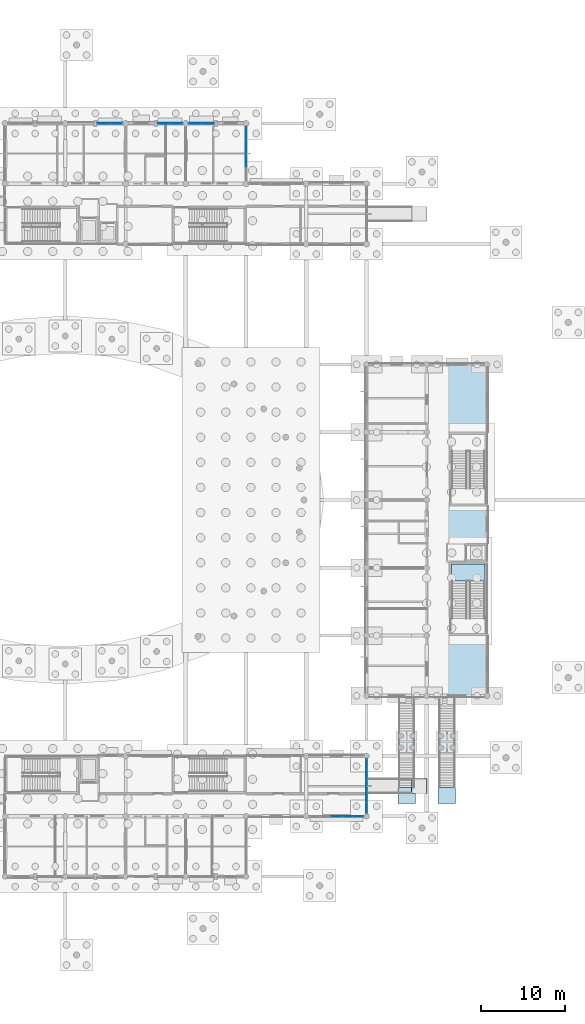
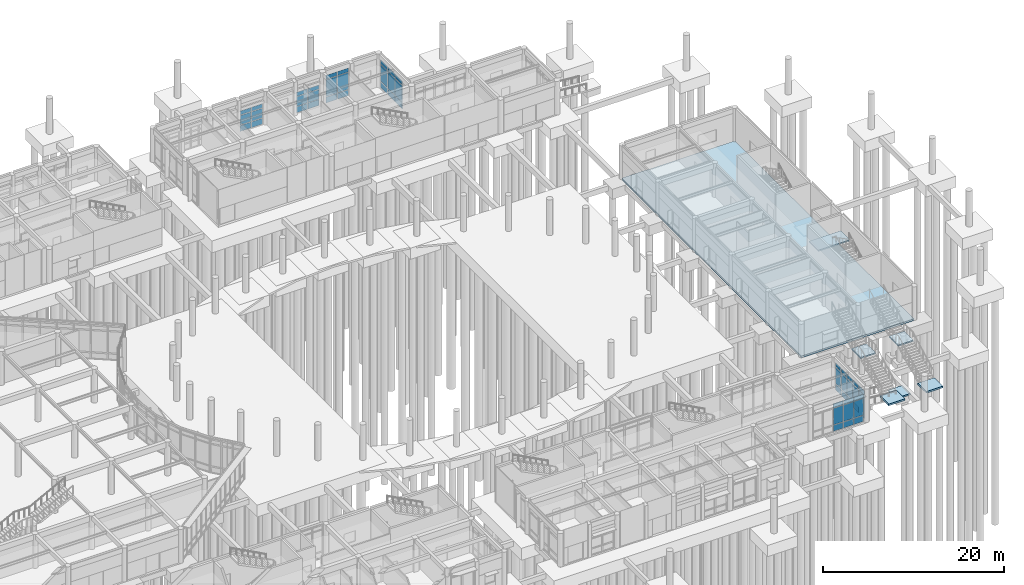
# One storey, part 50 of 103: 51 plates, 7 slabs, 10 elements without a shape of their own.
"""IFC4 building model written with IfcOpenShell, lengths in metres."""

import ifcopenshell
import ifcopenshell.guid

model = None  # the IFC model being written
_history = None  # IfcOwnerHistory: only IFC2X3 demands one
_inside = {}  # id of a spatial element -> (the spatial element, [elements in it])
_under = {}  # id of a project, library or spatial element -> (it, [spatial elements below it])
_declared = {}  # id of a project -> (the project, [libraries it declares])
_typed = {}  # id of a type object -> (the type object, [elements of that type])
_made_of = {}  # id of a material, layer set ... -> (it, [elements and type objects made of it])


def new_model(schema):
    """Start an empty IFC model of exactly this schema.

    Asked for "IFC4X3", IfcOpenShell would pick the latest addendum, in which some entities
    have other attributes; the version numbers below select the first issue.
    IFC2X3 requires an IfcOwnerHistory on every rooted entity: one is made here for all.
    """
    global model, _history
    if schema == "IFC4X3":
        model = ifcopenshell.file(schema_version=(4, 3, 0, 0))
    else:
        model = ifcopenshell.file(schema=schema)
    _inside.clear()
    _under.clear()
    _declared.clear()
    _typed.clear()
    _made_of.clear()
    _history = None
    if model.schema == "IFC2X3":
        org = make("IfcOrganization", Name="unknown")
        user = make(
            "IfcPersonAndOrganization",
            ThePerson=make("IfcPerson", FamilyName="unknown"),
            TheOrganization=org,
        )
        app = make(
            "IfcApplication",
            ApplicationDeveloper=org,
            Version="unknown",
            ApplicationFullName="unknown",
            ApplicationIdentifier="unknown",
        )
        _history = make(
            "IfcOwnerHistory",
            OwningUser=user,
            OwningApplication=app,
            ChangeAction="ADDED",
            CreationDate=0,
        )
    return model


def make(cls, **values):
    """One entity of the class cls with the attributes given. An attribute that is None is left unset."""
    return model.create_entity(
        cls, **{name: value for name, value in values.items() if value is not None}
    )


def rooted(cls, **values):
    """An entity with a GlobalId (a new one), such as an element, a storey or a relation."""
    return make(cls, GlobalId=ifcopenshell.guid.new(), OwnerHistory=_history, **values)


def si_unit(unit_type, name, prefix=None):
    """IfcSIUnit, for example si_unit("LENGTHUNIT", "METRE", prefix="MILLI")."""
    return make("IfcSIUnit", UnitType=unit_type, Prefix=prefix, Name=name)


def assignment(units):
    """IfcUnitAssignment: the units of a project."""
    return None if units is None else make("IfcUnitAssignment", Units=units)


def point(xyz):
    """IfcCartesianPoint."""
    return None if xyz is None else make("IfcCartesianPoint", Coordinates=xyz)


def direction(xyz):
    """IfcDirection."""
    return None if xyz is None else make("IfcDirection", DirectionRatios=xyz)


def frame(location, z_axis=None, x_axis=None):
    """IfcAxis2Placement3D, a coordinate frame: its origin and axes. An axis left out is left unset."""
    return make(
        "IfcAxis2Placement3D",
        Location=point(location),
        Axis=direction(z_axis),
        RefDirection=direction(x_axis),
    )


def frame_2d(location, x_axis=None):
    """IfcAxis2Placement2D, a coordinate frame in the plane: its origin and x axis."""
    return make(
        "IfcAxis2Placement2D", Location=point(location), RefDirection=direction(x_axis)
    )


def origin():
    """The frame at (0, 0, 0) with its axes left unset."""
    return frame((0.0, 0.0, 0.0))


def origin_2d():
    """The frame at (0, 0) in the plane with its x axis left unset."""
    return frame_2d((0.0, 0.0))


def place(relative_to, where):
    """IfcLocalPlacement: puts the frame where relative to a parent placement (None: the world)."""
    return make(
        "IfcLocalPlacement", PlacementRelTo=relative_to, RelativePlacement=where
    )


def context(
    kind, dimensions, precision=None, world=None, true_north=None, identifier=None
):
    """IfcGeometricRepresentationContext, for example the 3D "Model" context."""
    return make(
        "IfcGeometricRepresentationContext",
        ContextIdentifier=identifier,
        ContextType=kind,
        CoordinateSpaceDimension=dimensions,
        Precision=precision,
        WorldCoordinateSystem=world,
        TrueNorth=true_north,
    )


def subcontext(parent, identifier, kind, view, scale=None):
    """IfcGeometricRepresentationSubContext, for example "Body" below "Model"."""
    return make(
        "IfcGeometricRepresentationSubContext",
        ContextIdentifier=identifier,
        ContextType=kind,
        ParentContext=parent,
        TargetScale=scale,
        TargetView=view,
    )


def project(units=None, contexts=None):
    """IfcProject with its units and contexts."""
    return rooted(
        "IfcProject",
        Name="project",
        RepresentationContexts=contexts,
        UnitsInContext=assignment(units),
    )


def spatial(cls, under=None, at=None, **own):
    """A site, building, storey or space (cls), placed at a placement, below another one or the project."""
    s = rooted(cls, ObjectPlacement=at, **own)
    if under is not None:
        _under.setdefault(under.id(), (under, []))[1].append(s)
    return s


def polyline(points):
    """IfcPolyline through the points."""
    return make("IfcPolyline", Points=[point(p) for p in points])


def profile(cls, at=None, kind="AREA", **sizes):
    """A parametric profile (cls). Its sizes go by their IFC names, for example OverallWidth=200.0."""
    return make(cls, ProfileType=kind, Position=at, **sizes)


def rectangle(**sizes):
    """IfcRectangleProfileDef."""
    return profile("IfcRectangleProfileDef", **sizes)


def outline(outer, holes=None, kind="AREA"):
    """IfcArbitraryClosedProfileDef: a profile drawn as a closed curve; with holes, ...WithVoids."""
    if holes is None:
        return make("IfcArbitraryClosedProfileDef", ProfileType=kind, OuterCurve=outer)
    return make(
        "IfcArbitraryProfileDefWithVoids",
        ProfileType=kind,
        OuterCurve=outer,
        InnerCurves=holes,
    )


def extrude(swept, where, along, depth):
    """IfcExtrudedAreaSolid: the profile swept, set in the frame where, extruded along a direction by depth."""
    return make(
        "IfcExtrudedAreaSolid",
        SweptArea=swept,
        Position=where,
        ExtrudedDirection=direction(along),
        Depth=depth,
    )


def shape(context_of_items, identifier, shape_type, items):
    """IfcShapeRepresentation: the items that make up one representation, for example the "Body"."""
    return make(
        "IfcShapeRepresentation",
        ContextOfItems=context_of_items,
        RepresentationIdentifier=identifier,
        RepresentationType=shape_type,
        Items=items,
    )


def material(Name=None, Category=None):
    """IfcMaterial."""
    return make("IfcMaterial", Name=Name, Category=Category)


def layer(
    of_material, thickness, ventilated=None, Name=None, Category=None, Priority=None
):
    """IfcMaterialLayer: one layer of a wall or slab, of a material (None: an air gap)."""
    return make(
        "IfcMaterialLayer",
        Material=of_material,
        LayerThickness=thickness,
        IsVentilated=ventilated,
        Name=Name,
        Category=Category,
        Priority=Priority,
    )


def layer_set(layers, Name=None):
    """IfcMaterialLayerSet."""
    return make("IfcMaterialLayerSet", MaterialLayers=layers, LayerSetName=Name)


def made_of(thing, what):
    """Note that an element or type object is made of a material, layer set ...; save() writes the relation."""
    if what is not None:
        _made_of.setdefault(what.id(), (what, []))[1].append(thing)
    return thing


def type_object(cls, material=None, **own):
    """A type object (cls), such as IfcWallType, which elements share."""
    return made_of(rooted(cls, **own), material)


def element(
    cls,
    number,
    at=None,
    inside=None,
    cuts=None,
    type_object=None,
    material=None,
    context=None,
    identifier="Body",
    shape_type=None,
    held_by="IfcProductDefinitionShape",
    body=None,
    shapes=None,
    **own,
):
    """One element of the class cls, such as IfcWall. Its Tag is "e" and its number.

    at: its placement. inside: the storey or other place that contains it. cuts: it is an
    opening in that element (IfcRelVoidsElement). A single representation is given by context,
    identifier, shape_type and body (its items); several are given by shapes. held_by: the class
    of the entity that holds the representations. save() writes the other relations.
    """
    e = rooted(cls, Tag="e%d" % number, ObjectPlacement=at, **own)
    if body is not None:
        shapes = [shape(context, identifier, shape_type, body)]
    if shapes is not None:
        e.Representation = make(held_by, Representations=shapes)
    if inside is not None:
        _inside.setdefault(inside.id(), (inside, []))[1].append(e)
    if cuts is not None:
        rooted(
            "IfcRelVoidsElement", RelatingBuildingElement=cuts, RelatedOpeningElement=e
        )
    if type_object is not None:
        _typed.setdefault(type_object.id(), (type_object, []))[1].append(e)
    return made_of(e, material)


def aggregate(whole, parts):
    """IfcRelAggregates: a whole, such as a stair, and the parts it consists of."""
    return rooted("IfcRelAggregates", RelatingObject=whole, RelatedObjects=parts)


def save(model, path):
    """Write the relations noted so far, then the file.

    IfcRelAggregates (storeys below a building ...), IfcRelContainedInSpatialStructure (elements
    in a storey), IfcRelDefinesByType, IfcRelAssociatesMaterial and IfcRelDeclares: one each for
    every whole, place, type object, material and project.
    """
    for whole, parts in _under.values():
        aggregate(whole, parts)
    for where, things in _inside.values():
        rooted(
            "IfcRelContainedInSpatialStructure",
            RelatedElements=things,
            RelatingStructure=where,
        )
    for kind, things in _typed.values():
        rooted("IfcRelDefinesByType", RelatedObjects=things, RelatingType=kind)
    for what, things in _made_of.values():
        rooted("IfcRelAssociatesMaterial", RelatedObjects=things, RelatingMaterial=what)
    for by, libraries in _declared.values():
        rooted("IfcRelDeclares", RelatingContext=by, RelatedDefinitions=libraries)
    model.write(path)


model = new_model("IFC4")

# Units and contexts
model_context = context("Model", 3, precision=1e-05, world=origin(), true_north=direction((0.0, 1.0)))
body_context = subcontext(model_context, "Body", "Model", "MODEL_VIEW")
ifc_project = project(units=[si_unit("LENGTHUNIT", "METRE"), si_unit("AREAUNIT", "SQUARE_METRE"), si_unit("VOLUMEUNIT", "CUBIC_METRE"), si_unit("PLANEANGLEUNIT", "RADIAN"), si_unit("MASSUNIT", "GRAM", prefix="KILO")], contexts=[model_context])

# Site, building, storey
site_placement = place(None, origin())
site = spatial("IfcSite", under=ifc_project, at=site_placement, CompositionType="ELEMENT")
building_placement = place(site_placement, origin())
building = spatial("IfcBuilding", under=site, at=building_placement, Name="Namkhue Oval Health Centre", CompositionType="ELEMENT")
storey_placement = place(building_placement, origin())
storey = spatial("IfcBuildingStorey", under=building, at=storey_placement, Name="L00", CompositionType="ELEMENT", Elevation=0.0)

# Slabs
ifc_material_1 = material(Name="Reinforced concrete C30/37 (TCVN B35)", Category="concrete")
ifc_layer_1 = layer(ifc_material_1, 0.219970703125)
ifc_layer_set_1 = layer_set([ifc_layer_1], Name="Reinforced concrete C30/37 (TCVN B35)")
slab_type_1 = type_object("IfcSlabType", Name="COLONNADE DECK SLAB 220", PredefinedType="FLOOR", material=ifc_layer_set_1)
slab_1_placement = place(storey_placement, frame((0.0, 0.0, -0.219970703125)))
element("IfcSlab", 1, at=slab_1_placement, inside=storey, type_object=slab_type_1, Name="Rehab Terrace West Garden Straight Stair Ground Arrival Pad", PredefinedType="FLOOR", context=body_context, shape_type="SweptSolid", body=[
    extrude(outline(polyline([(142.64990234375, 23.155029296875), (142.64990234375, 25.054931640625), (140.550048828125, 25.054931640625), (140.550048828125, 23.155029296875), (142.64990234375, 23.155029296875)])), origin(), (0.0, 0.0, 1.0), 0.219970703125),
])
slab_2_placement = place(storey_placement, frame((0.0, 0.0, -0.219970703125)))
element("IfcSlab", 2, at=slab_2_placement, inside=storey, type_object=slab_type_1, Name="Rehab Terrace East Garden Straight Stair Ground Arrival Pad", PredefinedType="FLOOR", context=body_context, shape_type="SweptSolid", body=[
    extrude(outline(polyline([(147.449951171875, 23.155029296875), (147.449951171875, 25.054931640625), (145.35009765625, 25.054931640625), (145.35009765625, 23.155029296875), (147.449951171875, 23.155029296875)])), origin(), (0.0, 0.0, 1.0), 0.219970703125),
])

# Curtain wall, plates
ifc_material_2 = material(Name="Anodised aluminium EN AW-6063 T6", Category="aluminium")
ifc_layer_2 = layer(ifc_material_2, 0.159912109375)
ifc_layer_set_2 = layer_set([ifc_layer_2], Name="Anodised aluminium EN AW-6063 T6")
curtain_wall_type_1 = type_object("IfcCurtainWallType", Name="UNITISED CURTAIN WALL M1500", PredefinedType="NOTDEFINED", material=ifc_layer_set_2)
curtain_wall_1_placement = place(storey_placement, origin())
curtain_wall_1 = element("IfcCurtainWall", 3, at=curtain_wall_1_placement, inside=storey, type_object=curtain_wall_type_1, Name="Volume V3 L00 Unitised Curtain Wall 93", PredefinedType="NOTDEFINED")
ifc_material_3 = material(Name="Thermally broken low-E laminated double glazing", Category="glass")
ifc_layer_3 = layer(ifc_material_3, 0.02587890625)
ifc_layer_set_3 = layer_set([ifc_layer_3], Name="Thermally broken low-E laminated double glazing")
plate_type_1 = type_object("IfcPlateType", Name="CURTAIN WALL GLAZED PANEL 26", PredefinedType="CURTAIN_PANEL", material=ifc_layer_set_3)
plate_1_placement = place(storey_placement, frame((122.39990234375, 99.989990234375, 0.06494140625), z_axis=(0.0, 0.0, 1.0), x_axis=(0.0, 1.0, 0.0)))
plate_1 = element("IfcPlate", 4, at=plate_1_placement, type_object=plate_type_1, Name="CW-03 panel 2.1", PredefinedType="CURTAIN_PANEL", context=body_context, shape_type="SweptSolid", body=[
    extrude(rectangle(XDim=1.554931640625, YDim=0.02587890625, at=origin_2d()), origin(), (0.0, 0.0, 1.0), 0.802490234375),
])
plate_2_placement = place(storey_placement, frame((122.39990234375, 99.989990234375, 0.932373046875), z_axis=(0.0, 0.0, 1.0), x_axis=(0.0, 1.0, 0.0)))
plate_2 = element("IfcPlate", 5, at=plate_2_placement, type_object=plate_type_1, Name="CW-03 panel 2.2", PredefinedType="CURTAIN_PANEL", context=body_context, shape_type="SweptSolid", body=[
    extrude(rectangle(XDim=1.554931640625, YDim=0.02587890625, at=origin_2d()), origin(), (0.0, 0.0, 1.0), 2.27001953125),
])
plate_3_placement = place(storey_placement, frame((122.39990234375, 99.989990234375, 3.267578125), z_axis=(0.0, 0.0, 1.0), x_axis=(0.0, 1.0, 0.0)))
plate_3 = element("IfcPlate", 6, at=plate_3_placement, type_object=plate_type_1, Name="CW-03 panel 2.3", PredefinedType="CURTAIN_PANEL", context=body_context, shape_type="SweptSolid", body=[
    extrude(rectangle(XDim=1.554931640625, YDim=0.02587890625, at=origin_2d()), origin(), (0.0, 0.0, 1.0), 0.552490234375),
])
plate_4_placement = place(storey_placement, frame((122.39990234375, 101.610107421875, 0.06494140625), z_axis=(0.0, 0.0, 1.0), x_axis=(0.0, 1.0, 0.0)))
plate_4 = element("IfcPlate", 7, at=plate_4_placement, type_object=plate_type_1, Name="CW-03 panel 3.1", PredefinedType="CURTAIN_PANEL", context=body_context, shape_type="SweptSolid", body=[
    extrude(rectangle(XDim=1.554931640625, YDim=0.02587890625, at=origin_2d()), origin(), (0.0, 0.0, 1.0), 0.802490234375),
])
plate_5_placement = place(storey_placement, frame((122.39990234375, 101.610107421875, 0.932373046875), z_axis=(0.0, 0.0, 1.0), x_axis=(0.0, 1.0, 0.0)))
plate_5 = element("IfcPlate", 8, at=plate_5_placement, type_object=plate_type_1, Name="CW-03 panel 3.2", PredefinedType="CURTAIN_PANEL", context=body_context, shape_type="SweptSolid", body=[
    extrude(rectangle(XDim=1.554931640625, YDim=0.02587890625, at=origin_2d()), origin(), (0.0, 0.0, 1.0), 2.27001953125),
])
plate_6_placement = place(storey_placement, frame((122.39990234375, 101.610107421875, 3.267578125), z_axis=(0.0, 0.0, 1.0), x_axis=(0.0, 1.0, 0.0)))
plate_6 = element("IfcPlate", 9, at=plate_6_placement, type_object=plate_type_1, Name="CW-03 panel 3.3", PredefinedType="CURTAIN_PANEL", context=body_context, shape_type="SweptSolid", body=[
    extrude(rectangle(XDim=1.554931640625, YDim=0.02587890625, at=origin_2d()), origin(), (0.0, 0.0, 1.0), 0.552490234375),
])
plate_7_placement = place(storey_placement, frame((122.39990234375, 103.2138671875, 0.06494140625), z_axis=(0.0, 0.0, 1.0), x_axis=(0.0, 1.0, 0.0)))
plate_7 = element("IfcPlate", 10, at=plate_7_placement, type_object=plate_type_1, Name="CW-03 panel 4.1", PredefinedType="CURTAIN_PANEL", context=body_context, shape_type="SweptSolid", body=[
    extrude(rectangle(XDim=1.5224609375, YDim=0.02587890625, at=origin_2d()), origin(), (0.0, 0.0, 1.0), 0.802490234375),
])
plate_8_placement = place(storey_placement, frame((122.39990234375, 103.2138671875, 0.932373046875), z_axis=(0.0, 0.0, 1.0), x_axis=(0.0, 1.0, 0.0)))
plate_8 = element("IfcPlate", 11, at=plate_8_placement, type_object=plate_type_1, Name="CW-03 panel 4.2", PredefinedType="CURTAIN_PANEL", context=body_context, shape_type="SweptSolid", body=[
    extrude(rectangle(XDim=1.5224609375, YDim=0.02587890625, at=origin_2d()), origin(), (0.0, 0.0, 1.0), 2.27001953125),
])
plate_9_placement = place(storey_placement, frame((122.39990234375, 103.2138671875, 3.267578125), z_axis=(0.0, 0.0, 1.0), x_axis=(0.0, 1.0, 0.0)))
plate_9 = element("IfcPlate", 12, at=plate_9_placement, type_object=plate_type_1, Name="CW-03 panel 4.3", PredefinedType="CURTAIN_PANEL", context=body_context, shape_type="SweptSolid", body=[
    extrude(rectangle(XDim=1.5224609375, YDim=0.02587890625, at=origin_2d()), origin(), (0.0, 0.0, 1.0), 0.552490234375),
])
aggregate(curtain_wall_1, [plate_1, plate_2, plate_3, plate_4, plate_5, plate_6, plate_7, plate_8, plate_9])

ifc_layer_4 = layer(ifc_material_2, 0.159912109375)
ifc_layer_set_4 = layer_set([ifc_layer_4], Name="Anodised aluminium EN AW-6063 T6")
curtain_wall_type_2 = type_object("IfcCurtainWallType", Name="UNITISED CURTAIN WALL M1200", PredefinedType="NOTDEFINED", material=ifc_layer_set_4)
curtain_wall_2_placement = place(storey_placement, origin())
curtain_wall_2 = element("IfcCurtainWall", 13, at=curtain_wall_2_placement, inside=storey, type_object=curtain_wall_type_2, Name="Volume V5 L00 Unitised Curtain Wall 181", PredefinedType="NOTDEFINED")
plate_10_placement = place(storey_placement, frame((133.199951171875, 21.60009765625, 0.06494140625), z_axis=(0.0, 0.0, 1.0), x_axis=(1.0, 0.0, 0.0)))
plate_10 = element("IfcPlate", 14, at=plate_10_placement, type_object=plate_type_1, Name="CW-01 panel 3.1", PredefinedType="CURTAIN_PANEL", context=body_context, shape_type="SweptSolid", body=[
    extrude(rectangle(XDim=1.240966796875, YDim=0.02587890625, at=origin_2d()), origin(), (0.0, 0.0, 1.0), 0.802490234375),
])
plate_11_placement = place(storey_placement, frame((133.199951171875, 21.60009765625, 0.9326171875), z_axis=(0.0, 0.0, 1.0), x_axis=(1.0, 0.0, 0.0)))
plate_11 = element("IfcPlate", 15, at=plate_11_placement, type_object=plate_type_1, Name="CW-01 panel 3.2", PredefinedType="CURTAIN_PANEL", context=body_context, shape_type="SweptSolid", body=[
    extrude(rectangle(XDim=1.240966796875, YDim=0.02587890625, at=origin_2d()), origin(), (0.0, 0.0, 1.0), 2.22998046875),
])
plate_12_placement = place(storey_placement, frame((133.199951171875, 21.60009765625, 3.2275390625), z_axis=(0.0, 0.0, 1.0), x_axis=(1.0, 0.0, 0.0)))
plate_12 = element("IfcPlate", 16, at=plate_12_placement, type_object=plate_type_1, Name="CW-01 panel 3.3", PredefinedType="CURTAIN_PANEL", context=body_context, shape_type="SweptSolid", body=[
    extrude(rectangle(XDim=1.240966796875, YDim=0.02587890625, at=origin_2d()), origin(), (0.0, 0.0, 1.0), 0.552490234375),
])
plate_13_placement = place(storey_placement, frame((134.506103515625, 21.60009765625, 0.06494140625), z_axis=(0.0, 0.0, 1.0), x_axis=(1.0, 0.0, 0.0)))
plate_13 = element("IfcPlate", 17, at=plate_13_placement, type_object=plate_type_1, Name="CW-01 panel 4.1", PredefinedType="CURTAIN_PANEL", context=body_context, shape_type="SweptSolid", body=[
    extrude(rectangle(XDim=1.240966796875, YDim=0.02587890625, at=origin_2d()), origin(), (0.0, 0.0, 1.0), 0.802490234375),
])
plate_14_placement = place(storey_placement, frame((134.506103515625, 21.60009765625, 0.9326171875), z_axis=(0.0, 0.0, 1.0), x_axis=(1.0, 0.0, 0.0)))
plate_14 = element("IfcPlate", 18, at=plate_14_placement, type_object=plate_type_1, Name="CW-01 panel 4.2", PredefinedType="CURTAIN_PANEL", context=body_context, shape_type="SweptSolid", body=[
    extrude(rectangle(XDim=1.240966796875, YDim=0.02587890625, at=origin_2d()), origin(), (0.0, 0.0, 1.0), 2.22998046875),
])
plate_15_placement = place(storey_placement, frame((134.506103515625, 21.60009765625, 3.2275390625), z_axis=(0.0, 0.0, 1.0), x_axis=(1.0, 0.0, 0.0)))
plate_15 = element("IfcPlate", 19, at=plate_15_placement, type_object=plate_type_1, Name="CW-01 panel 4.3", PredefinedType="CURTAIN_PANEL", context=body_context, shape_type="SweptSolid", body=[
    extrude(rectangle(XDim=1.240966796875, YDim=0.02587890625, at=origin_2d()), origin(), (0.0, 0.0, 1.0), 0.552490234375),
])
plate_16_placement = place(storey_placement, frame((135.795654296875, 21.60009765625, 0.06494140625), z_axis=(0.0, 0.0, 1.0), x_axis=(1.0, 0.0, 0.0)))
plate_16 = element("IfcPlate", 20, at=plate_16_placement, type_object=plate_type_1, Name="CW-01 panel 5.1", PredefinedType="CURTAIN_PANEL", context=body_context, shape_type="SweptSolid", body=[
    extrude(rectangle(XDim=1.20849609375, YDim=0.02587890625, at=origin_2d()), origin(), (0.0, 0.0, 1.0), 0.802490234375),
])
plate_17_placement = place(storey_placement, frame((135.795654296875, 21.60009765625, 0.9326171875), z_axis=(0.0, 0.0, 1.0), x_axis=(1.0, 0.0, 0.0)))
plate_17 = element("IfcPlate", 21, at=plate_17_placement, type_object=plate_type_1, Name="CW-01 panel 5.2", PredefinedType="CURTAIN_PANEL", context=body_context, shape_type="SweptSolid", body=[
    extrude(rectangle(XDim=1.20849609375, YDim=0.02587890625, at=origin_2d()), origin(), (0.0, 0.0, 1.0), 2.22998046875),
])
plate_18_placement = place(storey_placement, frame((135.795654296875, 21.60009765625, 3.2275390625), z_axis=(0.0, 0.0, 1.0), x_axis=(1.0, 0.0, 0.0)))
plate_18 = element("IfcPlate", 22, at=plate_18_placement, type_object=plate_type_1, Name="CW-01 panel 5.3", PredefinedType="CURTAIN_PANEL", context=body_context, shape_type="SweptSolid", body=[
    extrude(rectangle(XDim=1.20849609375, YDim=0.02587890625, at=origin_2d()), origin(), (0.0, 0.0, 1.0), 0.552490234375),
])
aggregate(curtain_wall_2, [plate_10, plate_11, plate_12, plate_13, plate_14, plate_15, plate_16, plate_17, plate_18])

ifc_layer_5 = layer(ifc_material_2, 0.159912109375)
ifc_layer_set_5 = layer_set([ifc_layer_5], Name="Anodised aluminium EN AW-6063 T6")
curtain_wall_type_3 = type_object("IfcCurtainWallType", Name="UNITISED CURTAIN WALL M1600", PredefinedType="NOTDEFINED", material=ifc_layer_set_5)
curtain_wall_3_placement = place(storey_placement, origin())
curtain_wall_3 = element("IfcCurtainWall", 23, at=curtain_wall_3_placement, inside=storey, type_object=curtain_wall_type_3, Name="Volume V3 L00 Unitised Curtain Wall 94", PredefinedType="NOTDEFINED")
ifc_layer_6 = layer(ifc_material_3, 0.028076171875)
ifc_layer_set_6 = layer_set([ifc_layer_6], Name="Thermally broken low-E laminated double glazing")
plate_type_2 = type_object("IfcPlateType", Name="CURTAIN WALL GLAZED PANEL 28", PredefinedType="CURTAIN_PANEL", material=ifc_layer_set_6)
plate_19_placement = place(storey_placement, frame((117.81298828125, 104.39990234375, 0.074951171875), z_axis=(0.0, 0.0, 1.0), x_axis=(-1.0, 0.0, 0.0)))
plate_19 = element("IfcPlate", 24, at=plate_19_placement, type_object=plate_type_2, Name="CW-04 panel 1.1", PredefinedType="CURTAIN_PANEL", context=body_context, shape_type="SweptSolid", body=[
    extrude(rectangle(XDim=1.402099609375, YDim=0.028076171875, at=origin_2d()), origin(), (0.0, 0.0, 1.0), 0.78759765625),
])
plate_20_placement = place(storey_placement, frame((117.81298828125, 104.39990234375, 0.9375), z_axis=(0.0, 0.0, 1.0), x_axis=(-1.0, 0.0, 0.0)))
plate_20 = element("IfcPlate", 25, at=plate_20_placement, type_object=plate_type_2, Name="CW-04 panel 1.2", PredefinedType="CURTAIN_PANEL", context=body_context, shape_type="SweptSolid", body=[
    extrude(rectangle(XDim=1.402099609375, YDim=0.028076171875, at=origin_2d()), origin(), (0.0, 0.0, 1.0), 2.260009765625),
])
plate_21_placement = place(storey_placement, frame((117.81298828125, 104.39990234375, 3.2724609375), z_axis=(0.0, 0.0, 1.0), x_axis=(-1.0, 0.0, 0.0)))
plate_21 = element("IfcPlate", 26, at=plate_21_placement, type_object=plate_type_2, Name="CW-04 panel 1.3", PredefinedType="CURTAIN_PANEL", context=body_context, shape_type="SweptSolid", body=[
    extrude(rectangle(XDim=1.402099609375, YDim=0.028076171875, at=origin_2d()), origin(), (0.0, 0.0, 1.0), 0.53759765625),
])
plate_22_placement = place(storey_placement, frame((116.3359375, 104.39990234375, 0.074951171875), z_axis=(0.0, 0.0, 1.0), x_axis=(-1.0, 0.0, 0.0)))
plate_22 = element("IfcPlate", 27, at=plate_22_placement, type_object=plate_type_2, Name="CW-04 panel 2.1", PredefinedType="CURTAIN_PANEL", context=body_context, shape_type="SweptSolid", body=[
    extrude(rectangle(XDim=1.402099609375, YDim=0.028076171875, at=origin_2d()), origin(), (0.0, 0.0, 1.0), 0.78759765625),
])
plate_23_placement = place(storey_placement, frame((116.3359375, 104.39990234375, 0.9375), z_axis=(0.0, 0.0, 1.0), x_axis=(-1.0, 0.0, 0.0)))
plate_23 = element("IfcPlate", 28, at=plate_23_placement, type_object=plate_type_2, Name="CW-04 panel 2.2", PredefinedType="CURTAIN_PANEL", context=body_context, shape_type="SweptSolid", body=[
    extrude(rectangle(XDim=1.402099609375, YDim=0.028076171875, at=origin_2d()), origin(), (0.0, 0.0, 1.0), 2.260009765625),
])
plate_24_placement = place(storey_placement, frame((116.3359375, 104.39990234375, 3.2724609375), z_axis=(0.0, 0.0, 1.0), x_axis=(-1.0, 0.0, 0.0)))
plate_24 = element("IfcPlate", 29, at=plate_24_placement, type_object=plate_type_2, Name="CW-04 panel 2.3", PredefinedType="CURTAIN_PANEL", context=body_context, shape_type="SweptSolid", body=[
    extrude(rectangle(XDim=1.402099609375, YDim=0.028076171875, at=origin_2d()), origin(), (0.0, 0.0, 1.0), 0.53759765625),
])
aggregate(curtain_wall_3, [plate_19, plate_20, plate_21, plate_22, plate_23, plate_24])

ifc_layer_7 = layer(ifc_material_2, 0.159912109375)
ifc_layer_set_7 = layer_set([ifc_layer_7], Name="Anodised aluminium EN AW-6063 T6")
curtain_wall_type_4 = type_object("IfcCurtainWallType", Name="UNITISED CURTAIN WALL M1350", PredefinedType="NOTDEFINED", material=ifc_layer_set_7)
curtain_wall_4_placement = place(storey_placement, origin())
curtain_wall_4 = element("IfcCurtainWall", 30, at=curtain_wall_4_placement, inside=storey, type_object=curtain_wall_type_4, Name="Volume V5 L00 Unitised Curtain Wall 182", PredefinedType="NOTDEFINED")
plate_25_placement = place(storey_placement, frame((136.800048828125, 22.606689453125, 0.074951171875), z_axis=(0.0, 0.0, 1.0), x_axis=(0.0, 1.0, 0.0)))
plate_25 = element("IfcPlate", 31, at=plate_25_placement, type_object=plate_type_2, Name="CW-02 panel 1.1", PredefinedType="CURTAIN_PANEL", context=body_context, shape_type="SweptSolid", body=[
    extrude(rectangle(XDim=1.193603515625, YDim=0.028076171875, at=origin_2d()), origin(), (0.0, 0.0, 1.0), 0.78759765625),
])
plate_26_placement = place(storey_placement, frame((136.800048828125, 22.606689453125, 0.9375), z_axis=(0.0, 0.0, 1.0), x_axis=(0.0, 1.0, 0.0)))
plate_26 = element("IfcPlate", 32, at=plate_26_placement, type_object=plate_type_2, Name="CW-02 panel 1.2", PredefinedType="CURTAIN_PANEL", context=body_context, shape_type="SweptSolid", body=[
    extrude(rectangle(XDim=1.193603515625, YDim=0.028076171875, at=origin_2d()), origin(), (0.0, 0.0, 1.0), 2.219970703125),
])
plate_27_placement = place(storey_placement, frame((136.800048828125, 22.606689453125, 3.232421875), z_axis=(0.0, 0.0, 1.0), x_axis=(0.0, 1.0, 0.0)))
plate_27 = element("IfcPlate", 33, at=plate_27_placement, type_object=plate_type_2, Name="CW-02 panel 1.3", PredefinedType="CURTAIN_PANEL", context=body_context, shape_type="SweptSolid", body=[
    extrude(rectangle(XDim=1.193603515625, YDim=0.028076171875, at=origin_2d()), origin(), (0.0, 0.0, 1.0), 0.53759765625),
])
plate_28_placement = place(storey_placement, frame((136.800048828125, 23.89404296875, 0.074951171875), z_axis=(0.0, 0.0, 1.0), x_axis=(0.0, 1.0, 0.0)))
plate_28 = element("IfcPlate", 34, at=plate_28_placement, type_object=plate_type_2, Name="CW-02 panel 2.1", PredefinedType="CURTAIN_PANEL", context=body_context, shape_type="SweptSolid", body=[
    extrude(rectangle(XDim=1.23095703125, YDim=0.028076171875, at=origin_2d()), origin(), (0.0, 0.0, 1.0), 0.78759765625),
])
plate_29_placement = place(storey_placement, frame((136.800048828125, 23.89404296875, 0.9375), z_axis=(0.0, 0.0, 1.0), x_axis=(0.0, 1.0, 0.0)))
plate_29 = element("IfcPlate", 35, at=plate_29_placement, type_object=plate_type_2, Name="CW-02 panel 2.2", PredefinedType="CURTAIN_PANEL", context=body_context, shape_type="SweptSolid", body=[
    extrude(rectangle(XDim=1.23095703125, YDim=0.028076171875, at=origin_2d()), origin(), (0.0, 0.0, 1.0), 2.219970703125),
])
plate_30_placement = place(storey_placement, frame((136.800048828125, 23.89404296875, 3.232421875), z_axis=(0.0, 0.0, 1.0), x_axis=(0.0, 1.0, 0.0)))
plate_30 = element("IfcPlate", 36, at=plate_30_placement, type_object=plate_type_2, Name="CW-02 panel 2.3", PredefinedType="CURTAIN_PANEL", context=body_context, shape_type="SweptSolid", body=[
    extrude(rectangle(XDim=1.23095703125, YDim=0.028076171875, at=origin_2d()), origin(), (0.0, 0.0, 1.0), 0.53759765625),
])
plate_31_placement = place(storey_placement, frame((136.800048828125, 25.199951171875, 0.074951171875), z_axis=(0.0, 0.0, 1.0), x_axis=(0.0, 1.0, 0.0)))
plate_31 = element("IfcPlate", 37, at=plate_31_placement, type_object=plate_type_2, Name="CW-02 panel 3.1", PredefinedType="CURTAIN_PANEL", context=body_context, shape_type="SweptSolid", body=[
    extrude(rectangle(XDim=1.23095703125, YDim=0.028076171875, at=origin_2d()), origin(), (0.0, 0.0, 1.0), 0.78759765625),
])
plate_32_placement = place(storey_placement, frame((136.800048828125, 25.199951171875, 0.9375), z_axis=(0.0, 0.0, 1.0), x_axis=(0.0, 1.0, 0.0)))
plate_32 = element("IfcPlate", 38, at=plate_32_placement, type_object=plate_type_2, Name="CW-02 panel 3.2", PredefinedType="CURTAIN_PANEL", context=body_context, shape_type="SweptSolid", body=[
    extrude(rectangle(XDim=1.23095703125, YDim=0.028076171875, at=origin_2d()), origin(), (0.0, 0.0, 1.0), 2.219970703125),
])
plate_33_placement = place(storey_placement, frame((136.800048828125, 25.199951171875, 3.232421875), z_axis=(0.0, 0.0, 1.0), x_axis=(0.0, 1.0, 0.0)))
plate_33 = element("IfcPlate", 39, at=plate_33_placement, type_object=plate_type_2, Name="CW-02 panel 3.3", PredefinedType="CURTAIN_PANEL", context=body_context, shape_type="SweptSolid", body=[
    extrude(rectangle(XDim=1.23095703125, YDim=0.028076171875, at=origin_2d()), origin(), (0.0, 0.0, 1.0), 0.53759765625),
])
plate_34_placement = place(storey_placement, frame((136.800048828125, 26.506103515625, 0.074951171875), z_axis=(0.0, 0.0, 1.0), x_axis=(0.0, 1.0, 0.0)))
plate_34 = element("IfcPlate", 40, at=plate_34_placement, type_object=plate_type_2, Name="CW-02 panel 4.1", PredefinedType="CURTAIN_PANEL", context=body_context, shape_type="SweptSolid", body=[
    extrude(rectangle(XDim=1.23095703125, YDim=0.028076171875, at=origin_2d()), origin(), (0.0, 0.0, 1.0), 0.78759765625),
])
plate_35_placement = place(storey_placement, frame((136.800048828125, 26.506103515625, 0.9375), z_axis=(0.0, 0.0, 1.0), x_axis=(0.0, 1.0, 0.0)))
plate_35 = element("IfcPlate", 41, at=plate_35_placement, type_object=plate_type_2, Name="CW-02 panel 4.2", PredefinedType="CURTAIN_PANEL", context=body_context, shape_type="SweptSolid", body=[
    extrude(rectangle(XDim=1.23095703125, YDim=0.028076171875, at=origin_2d()), origin(), (0.0, 0.0, 1.0), 2.219970703125),
])
plate_36_placement = place(storey_placement, frame((136.800048828125, 26.506103515625, 3.232421875), z_axis=(0.0, 0.0, 1.0), x_axis=(0.0, 1.0, 0.0)))
plate_36 = element("IfcPlate", 42, at=plate_36_placement, type_object=plate_type_2, Name="CW-02 panel 4.3", PredefinedType="CURTAIN_PANEL", context=body_context, shape_type="SweptSolid", body=[
    extrude(rectangle(XDim=1.23095703125, YDim=0.028076171875, at=origin_2d()), origin(), (0.0, 0.0, 1.0), 0.53759765625),
])
plate_37_placement = place(storey_placement, frame((136.800048828125, 27.793212890625, 0.074951171875), z_axis=(0.0, 0.0, 1.0), x_axis=(0.0, 1.0, 0.0)))
plate_37 = element("IfcPlate", 43, at=plate_37_placement, type_object=plate_type_2, Name="CW-02 panel 5.1", PredefinedType="CURTAIN_PANEL", context=body_context, shape_type="SweptSolid", body=[
    extrude(rectangle(XDim=1.193603515625, YDim=0.028076171875, at=origin_2d()), origin(), (0.0, 0.0, 1.0), 0.78759765625),
])
plate_38_placement = place(storey_placement, frame((136.800048828125, 27.793212890625, 0.9375), z_axis=(0.0, 0.0, 1.0), x_axis=(0.0, 1.0, 0.0)))
plate_38 = element("IfcPlate", 44, at=plate_38_placement, type_object=plate_type_2, Name="CW-02 panel 5.2", PredefinedType="CURTAIN_PANEL", context=body_context, shape_type="SweptSolid", body=[
    extrude(rectangle(XDim=1.193603515625, YDim=0.028076171875, at=origin_2d()), origin(), (0.0, 0.0, 1.0), 2.219970703125),
])
plate_39_placement = place(storey_placement, frame((136.800048828125, 27.793212890625, 3.232421875), z_axis=(0.0, 0.0, 1.0), x_axis=(0.0, 1.0, 0.0)))
plate_39 = element("IfcPlate", 45, at=plate_39_placement, type_object=plate_type_2, Name="CW-02 panel 5.3", PredefinedType="CURTAIN_PANEL", context=body_context, shape_type="SweptSolid", body=[
    extrude(rectangle(XDim=1.193603515625, YDim=0.028076171875, at=origin_2d()), origin(), (0.0, 0.0, 1.0), 0.53759765625),
])
aggregate(curtain_wall_4, [plate_25, plate_26, plate_27, plate_28, plate_29, plate_30, plate_31, plate_32, plate_33, plate_34, plate_35, plate_36, plate_37, plate_38, plate_39])

ifc_layer_8 = layer(ifc_material_2, 0.159912109375)
ifc_layer_set_8 = layer_set([ifc_layer_8], Name="Anodised aluminium EN AW-6063 T6")
curtain_wall_type_5 = type_object("IfcCurtainWallType", Name="UNITISED CURTAIN WALL M1800", PredefinedType="NOTDEFINED", material=ifc_layer_set_8)
curtain_wall_5_placement = place(storey_placement, origin())
curtain_wall_5 = element("IfcCurtainWall", 46, at=curtain_wall_5_placement, inside=storey, type_object=curtain_wall_type_5, Name="Volume V3 L00 Unitised Curtain Wall 95", PredefinedType="NOTDEFINED")
ifc_material_4 = material(Name="Insulated anodised aluminium spandrel panel", Category="aluminium")
ifc_layer_9 = layer(ifc_material_4, 0.031982421875)
ifc_layer_set_9 = layer_set([ifc_layer_9], Name="Insulated anodised aluminium spandrel panel")
plate_type_3 = type_object("IfcPlateType", Name="CURTAIN WALL SPANDREL PANEL 32", PredefinedType="CURTAIN_PANEL", material=ifc_layer_set_9)
plate_40_placement = place(storey_placement, frame((114.06640625, 104.39990234375, 0.06494140625), z_axis=(0.0, 0.0, 1.0), x_axis=(-1.0, 0.0, 0.0)))
plate_40 = element("IfcPlate", 47, at=plate_40_placement, type_object=plate_type_3, Name="CW-05 panel 1.1", PredefinedType="CURTAIN_PANEL", context=body_context, shape_type="SweptSolid", body=[
    extrude(rectangle(XDim=1.4169921875, YDim=0.031982421875, at=origin_2d()), origin(), (0.0, 0.0, 1.0), 0.802490234375),
])
plate_41_placement = place(storey_placement, frame((114.06640625, 104.39990234375, 0.9326171875), z_axis=(0.0, 0.0, 1.0), x_axis=(-1.0, 0.0, 0.0)))
plate_41 = element("IfcPlate", 48, at=plate_41_placement, type_object=plate_type_3, Name="CW-05 panel 1.2", PredefinedType="CURTAIN_PANEL", context=body_context, shape_type="SweptSolid", body=[
    extrude(rectangle(XDim=1.4169921875, YDim=0.031982421875, at=origin_2d()), origin(), (0.0, 0.0, 1.0), 1.284912109375),
])
plate_42_placement = place(storey_placement, frame((114.06640625, 104.39990234375, 2.28271484375), z_axis=(0.0, 0.0, 1.0), x_axis=(-1.0, 0.0, 0.0)))
plate_42 = element("IfcPlate", 49, at=plate_42_placement, type_object=plate_type_3, Name="CW-05 panel 1.3", PredefinedType="CURTAIN_PANEL", context=body_context, shape_type="SweptSolid", body=[
    extrude(rectangle(XDim=1.4169921875, YDim=0.031982421875, at=origin_2d()), origin(), (0.0, 0.0, 1.0), 0.552490234375),
])
plate_43_placement = place(storey_placement, frame((112.58447265625, 104.39990234375, 0.06494140625), z_axis=(0.0, 0.0, 1.0), x_axis=(-1.0, 0.0, 0.0)))
plate_43 = element("IfcPlate", 50, at=plate_43_placement, type_object=plate_type_3, Name="CW-05 panel 2.1", PredefinedType="CURTAIN_PANEL", context=body_context, shape_type="SweptSolid", body=[
    extrude(rectangle(XDim=1.4169921875, YDim=0.031982421875, at=origin_2d()), origin(), (0.0, 0.0, 1.0), 0.802490234375),
])
plate_44_placement = place(storey_placement, frame((112.58447265625, 104.39990234375, 0.9326171875), z_axis=(0.0, 0.0, 1.0), x_axis=(-1.0, 0.0, 0.0)))
plate_44 = element("IfcPlate", 51, at=plate_44_placement, type_object=plate_type_3, Name="CW-05 panel 2.2", PredefinedType="CURTAIN_PANEL", context=body_context, shape_type="SweptSolid", body=[
    extrude(rectangle(XDim=1.4169921875, YDim=0.031982421875, at=origin_2d()), origin(), (0.0, 0.0, 1.0), 1.284912109375),
])
plate_45_placement = place(storey_placement, frame((112.58447265625, 104.39990234375, 2.28271484375), z_axis=(0.0, 0.0, 1.0), x_axis=(-1.0, 0.0, 0.0)))
plate_45 = element("IfcPlate", 52, at=plate_45_placement, type_object=plate_type_3, Name="CW-05 panel 2.3", PredefinedType="CURTAIN_PANEL", context=body_context, shape_type="SweptSolid", body=[
    extrude(rectangle(XDim=1.4169921875, YDim=0.031982421875, at=origin_2d()), origin(), (0.0, 0.0, 1.0), 0.552490234375),
])
aggregate(curtain_wall_5, [plate_40, plate_41, plate_42, plate_43, plate_44, plate_45])

ifc_layer_10 = layer(ifc_material_2, 0.159912109375)
ifc_layer_set_10 = layer_set([ifc_layer_10], Name="Anodised aluminium EN AW-6063 T6")
curtain_wall_type_6 = type_object("IfcCurtainWallType", Name="UNITISED CURTAIN WALL M2000", PredefinedType="NOTDEFINED", material=ifc_layer_set_10)
curtain_wall_6_placement = place(storey_placement, origin())
curtain_wall_6 = element("IfcCurtainWall", 53, at=curtain_wall_6_placement, inside=storey, type_object=curtain_wall_type_6, Name="Volume V3 L00 Unitised Curtain Wall 96", PredefinedType="NOTDEFINED")
ifc_layer_11 = layer(ifc_material_4, 0.035888671875)
ifc_layer_set_11 = layer_set([ifc_layer_11], Name="Insulated anodised aluminium spandrel panel")
plate_type_4 = type_object("IfcPlateType", Name="CURTAIN WALL SPANDREL PANEL 36", PredefinedType="CURTAIN_PANEL", material=ifc_layer_set_11)
plate_46_placement = place(storey_placement, frame((106.864013671875, 104.39990234375, 0.074951171875), z_axis=(0.0, 0.0, 1.0), x_axis=(-1.0, 0.0, 0.0)))
plate_46 = element("IfcPlate", 54, at=plate_46_placement, type_object=plate_type_4, Name="CW-06 panel 1.1", PredefinedType="CURTAIN_PANEL", context=body_context, shape_type="SweptSolid", body=[
    extrude(rectangle(XDim=1.402099609375, YDim=0.035888671875, at=origin_2d()), origin(), (0.0, 0.0, 1.0), 0.78759765625),
])
plate_47_placement = place(storey_placement, frame((106.864013671875, 104.39990234375, 0.9375), z_axis=(0.0, 0.0, 1.0), x_axis=(-1.0, 0.0, 0.0)))
plate_47 = element("IfcPlate", 55, at=plate_47_placement, type_object=plate_type_4, Name="CW-06 panel 1.2", PredefinedType="CURTAIN_PANEL", context=body_context, shape_type="SweptSolid", body=[
    extrude(rectangle(XDim=1.402099609375, YDim=0.035888671875, at=origin_2d()), origin(), (0.0, 0.0, 1.0), 1.27490234375),
])
plate_48_placement = place(storey_placement, frame((106.864013671875, 104.39990234375, 2.287353515625), z_axis=(0.0, 0.0, 1.0), x_axis=(-1.0, 0.0, 0.0)))
plate_48 = element("IfcPlate", 56, at=plate_48_placement, type_object=plate_type_4, Name="CW-06 panel 1.3", PredefinedType="CURTAIN_PANEL", context=body_context, shape_type="SweptSolid", body=[
    extrude(rectangle(XDim=1.402099609375, YDim=0.035888671875, at=origin_2d()), origin(), (0.0, 0.0, 1.0), 0.53759765625),
])
plate_49_placement = place(storey_placement, frame((105.386962890625, 104.39990234375, 0.074951171875), z_axis=(0.0, 0.0, 1.0), x_axis=(-1.0, 0.0, 0.0)))
plate_49 = element("IfcPlate", 57, at=plate_49_placement, type_object=plate_type_4, Name="CW-06 panel 2.1", PredefinedType="CURTAIN_PANEL", context=body_context, shape_type="SweptSolid", body=[
    extrude(rectangle(XDim=1.402099609375, YDim=0.035888671875, at=origin_2d()), origin(), (0.0, 0.0, 1.0), 0.78759765625),
])
plate_50_placement = place(storey_placement, frame((105.386962890625, 104.39990234375, 0.9375), z_axis=(0.0, 0.0, 1.0), x_axis=(-1.0, 0.0, 0.0)))
plate_50 = element("IfcPlate", 58, at=plate_50_placement, type_object=plate_type_4, Name="CW-06 panel 2.2", PredefinedType="CURTAIN_PANEL", context=body_context, shape_type="SweptSolid", body=[
    extrude(rectangle(XDim=1.402099609375, YDim=0.035888671875, at=origin_2d()), origin(), (0.0, 0.0, 1.0), 1.27490234375),
])
plate_51_placement = place(storey_placement, frame((105.386962890625, 104.39990234375, 2.287353515625), z_axis=(0.0, 0.0, 1.0), x_axis=(-1.0, 0.0, 0.0)))
plate_51 = element("IfcPlate", 59, at=plate_51_placement, type_object=plate_type_4, Name="CW-06 panel 2.3", PredefinedType="CURTAIN_PANEL", context=body_context, shape_type="SweptSolid", body=[
    extrude(rectangle(XDim=1.402099609375, YDim=0.035888671875, at=origin_2d()), origin(), (0.0, 0.0, 1.0), 0.53759765625),
])
aggregate(curtain_wall_6, [plate_46, plate_47, plate_48, plate_49, plate_50, plate_51])

# Slab
ifc_layer_12 = layer(ifc_material_1, 0.2548828125)
ifc_layer_set_12 = layer_set([ifc_layer_12], Name="Reinforced concrete C30/37 (TCVN B35)")
slab_type_2 = type_object("IfcSlabType", Name="GROUND BASE SLAB 255", PredefinedType="BASESLAB", material=ifc_layer_set_12)
slab_3_placement = place(storey_placement, frame((0.0, 0.0, -0.2548828125)))
element("IfcSlab", 60, at=slab_3_placement, inside=storey, type_object=slab_type_2, Name="Volume V6 L00 Ground Base Slab", PredefinedType="BASESLAB", context=body_context, shape_type="SweptSolid", body=[
    extrude(outline(polyline([(136.800048828125, 36.0), (151.199951171875, 36.0), (151.199951171875, 75.60009765625), (136.800048828125, 75.60009765625), (136.800048828125, 36.0)])), origin(), (0.0, 0.0, 1.0), 0.2548828125),
])

# Ramp, slab
ramp_type = type_object("IfcRampType", Name="ACCESSIBLE ENTRANCE RAMP", PredefinedType="STRAIGHT_RUN_RAMP", material=ifc_material_1)
ramp_placement = place(storey_placement, origin())
ramp = element("IfcRamp", 61, at=ramp_placement, inside=storey, type_object=ramp_type, Name="Dental and Mental Health East Ramp", PredefinedType="STRAIGHT_RUN_RAMP")
ifc_layer_13 = layer(ifc_material_1, 0.199951171875)
ifc_layer_set_13 = layer_set([ifc_layer_13], Name="Reinforced concrete C30/37 (TCVN B35)")
slab_type_3 = type_object("IfcSlabType", Name="RAMP LANDING SLAB 200", PredefinedType="LANDING", material=ifc_layer_set_13)
slab_4_placement = place(storey_placement, frame((0.0, 0.0, -0.64990234375)))
slab_4 = element("IfcSlab", 62, at=slab_4_placement, type_object=slab_type_3, Name="Dental and Mental Health East Ramp Bottom Landing", PredefinedType="LANDING", context=body_context, shape_type="SweptSolid", body=[
    extrude(outline(polyline([(144.0, 26.10009765625), (142.199951171875, 26.10009765625), (142.199951171875, 24.300048828125), (144.0, 24.300048828125), (144.0, 26.10009765625)])), origin(), (0.0, 0.0, 1.0), 0.199951171875),
])
aggregate(ramp, [slab_4])

# Stair, slab
stair_type_1 = type_object("IfcStairType", Name="DOGLEG EXIT STAIR H4800", PredefinedType="HALF_TURN_STAIR", material=ifc_material_1)
stair_1_placement = place(storey_placement, origin())
stair_1 = element("IfcStair", 63, at=stair_1_placement, inside=storey, type_object=stair_type_1, Name="Protected Exit Stair ST-11 L00", PredefinedType="HALF_TURN_STAIR")
ifc_layer_14 = layer(ifc_material_1, 0.179931640625)
ifc_layer_set_14 = layer_set([ifc_layer_14], Name="Reinforced concrete C30/37 (TCVN B35)")
slab_type_4 = type_object("IfcSlabType", Name="STAIR LANDING SLAB 180", PredefinedType="LANDING", material=ifc_layer_set_14)
slab_5_placement = place(storey_placement, frame((0.0, 0.0, 2.219970703125)))
slab_5 = element("IfcSlab", 64, at=slab_5_placement, type_object=slab_type_4, Name="ST-11 landing 1", PredefinedType="LANDING", context=body_context, shape_type="SweptSolid", body=[
    extrude(outline(polyline([(146.925048828125, 49.7451171875), (150.97509765625, 49.7451171875), (150.97509765625, 51.77490234375), (146.925048828125, 51.77490234375), (146.925048828125, 49.7451171875)])), origin(), (0.0, 0.0, 1.0), 0.179931640625),
])
aggregate(stair_1, [slab_5])

stair_type_2 = type_object("IfcStairType", Name="STRAIGHT FEATURE STAIR H4800", PredefinedType="STRAIGHT_RUN_STAIR", material=ifc_material_1)
stair_2_placement = place(storey_placement, origin())
stair_2 = element("IfcStair", 65, at=stair_2_placement, inside=storey, type_object=stair_type_2, Name="Rehab Terrace West Garden Straight Stair", PredefinedType="STRAIGHT_RUN_STAIR")
slab_6_placement = place(storey_placement, frame((0.0, 0.0, 2.219970703125)))
slab_6 = element("IfcSlab", 66, at=slab_6_placement, type_object=slab_type_4, Name="ST-F05 landing 1", PredefinedType="LANDING", context=body_context, shape_type="SweptSolid", body=[
    extrude(outline(polyline([(142.550048828125, 29.5), (142.550048828125, 31.510009765625), (140.64990234375, 31.510009765625), (140.64990234375, 29.5), (142.550048828125, 29.5)])), origin(), (0.0, 0.0, 1.0), 0.179931640625),
])
aggregate(stair_2, [slab_6])

stair_3_placement = place(storey_placement, origin())
stair_3 = element("IfcStair", 67, at=stair_3_placement, inside=storey, type_object=stair_type_2, Name="Rehab Terrace East Garden Straight Stair", PredefinedType="STRAIGHT_RUN_STAIR")
slab_7_placement = place(storey_placement, frame((0.0, 0.0, 2.219970703125)))
slab_7 = element("IfcSlab", 68, at=slab_7_placement, type_object=slab_type_4, Name="ST-F06 landing 1", PredefinedType="LANDING", context=body_context, shape_type="SweptSolid", body=[
    extrude(outline(polyline([(147.35009765625, 29.5), (147.35009765625, 31.510009765625), (145.449951171875, 31.510009765625), (145.449951171875, 29.5), (147.35009765625, 29.5)])), origin(), (0.0, 0.0, 1.0), 0.179931640625),
])
aggregate(stair_3, [slab_7])

save(model, "model.ifc")
